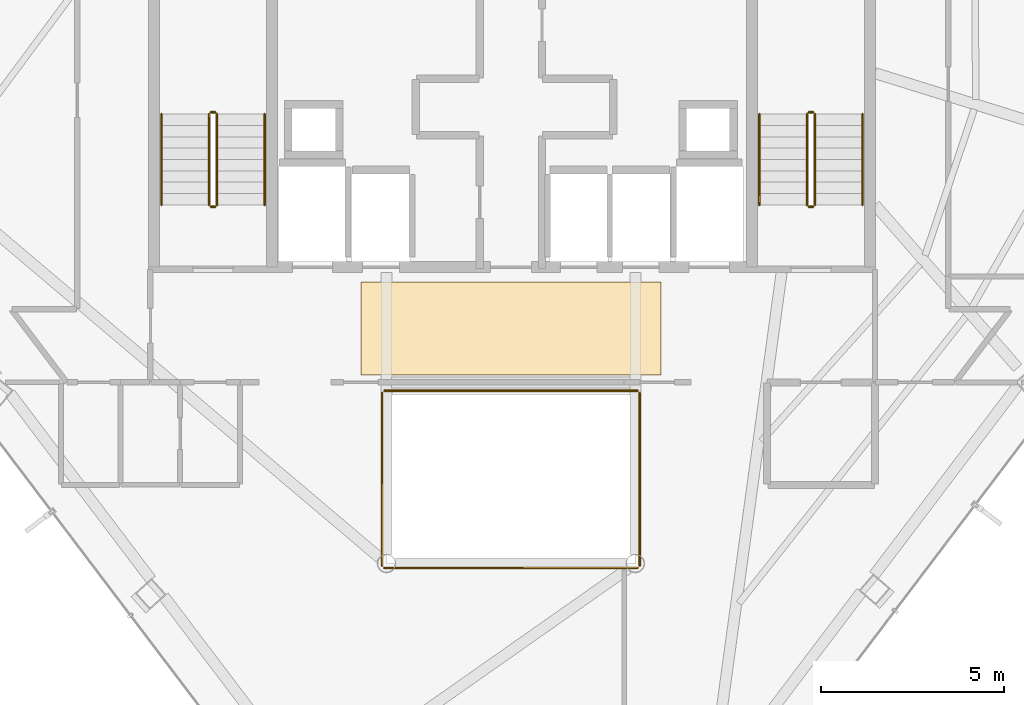
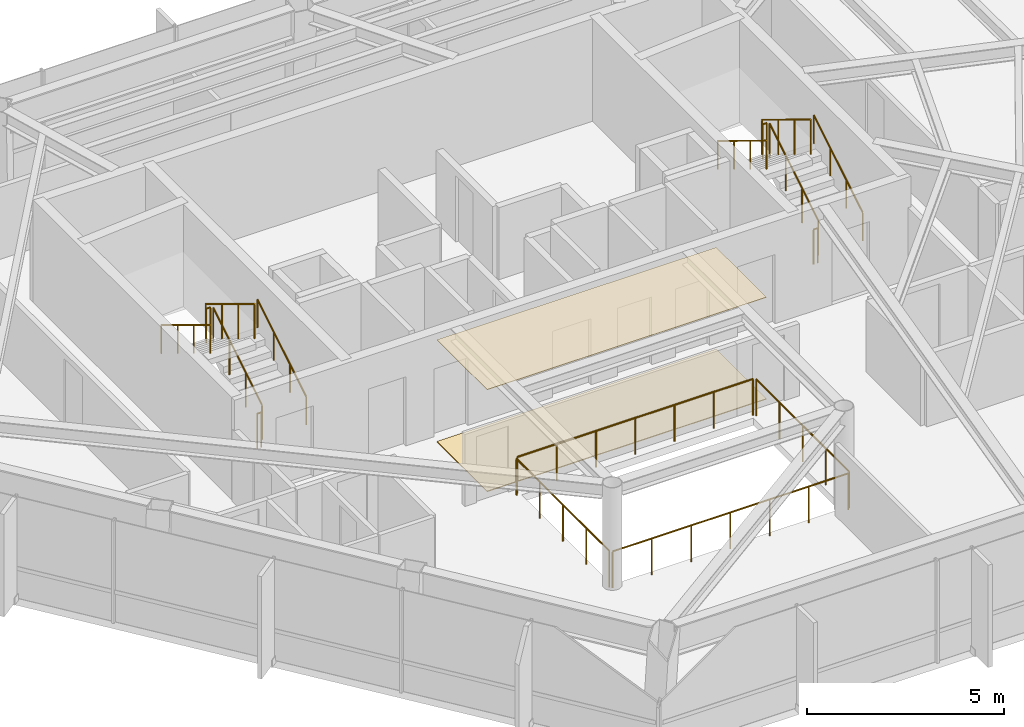
# One storey, part 27 of 27: 16 railings, 2 coverings.
"""IFC4 building model written with IfcOpenShell, lengths in metres."""

from ifc_helpers import new_model, si_unit, direction, frame, origin, origin_2d, place, context, subcontext, project, spatial, polyline, circle, outline, extrude, material, layer, layer_set, type_object, element, save


model = new_model("IFC4")

# Units and contexts
model_context = context("Model", 3, precision=1e-05, world=origin(), true_north=direction((0.0, 1.0)))
body_context = subcontext(model_context, "Body", "Model", "MODEL_VIEW")
ifc_project = project(units=[si_unit("LENGTHUNIT", "METRE"), si_unit("AREAUNIT", "SQUARE_METRE"), si_unit("VOLUMEUNIT", "CUBIC_METRE"), si_unit("PLANEANGLEUNIT", "RADIAN"), si_unit("MASSUNIT", "GRAM", prefix="KILO")], contexts=[model_context])

# Site, building, storey
site_placement = place(None, origin())
site = spatial("IfcSite", under=ifc_project, at=site_placement, CompositionType="ELEMENT")
building_placement = place(site_placement, origin())
building = spatial("IfcBuilding", under=site, at=building_placement, Name="Zarrinselat Tower", CompositionType="ELEMENT")
storey_placement = place(building_placement, frame((0.0, 0.0, 225.760009765625)))
storey = spatial("IfcBuildingStorey", under=building, at=storey_placement, Name="L56", CompositionType="ELEMENT", Elevation=225.760009765625)

# Coverings
ifc_material_1 = material(Name="Fire-Rated Gypsum Board Partition")
ifc_layer_1 = layer(ifc_material_1, 0.014892578125)
ifc_layer_set_1 = layer_set([ifc_layer_1], Name="Fire-Rated Gypsum Board Partition")
covering_type_1 = type_object("IfcCoveringType", Name="COV-CLG-AC15", PredefinedType="CEILING", material=ifc_layer_set_1)
covering_1_placement = place(storey_placement, frame((0.0, 0.0, 3.1650390625)))
element("IfcCovering", 1, at=covering_1_placement, inside=storey, type_object=covering_type_1, Name="L56 Lift Lobby Acoustic Ceiling", PredefinedType="CEILING", context=body_context, shape_type="SweptSolid", body=[
    extrude(outline(polyline([(34.300048828125, 30.35009765625), (42.5, 30.35009765625), (42.5, 32.89990234375), (34.300048828125, 32.89990234375), (34.300048828125, 30.35009765625)])), origin(), (0.0, 0.0, 1.0), 0.014892578125),
])
ifc_material_2 = material(Name="Honed Cream Travertine Stone", Category="masonry")
ifc_layer_2 = layer(ifc_material_2, 0.02490234375)
ifc_layer_set_2 = layer_set([ifc_layer_2], Name="Honed Cream Travertine Stone")
covering_type_2 = type_object("IfcCoveringType", Name="COV-FLR-ST25", PredefinedType="FLOORING", material=ifc_layer_set_2)
covering_2_placement = place(storey_placement, origin())
element("IfcCovering", 2, at=covering_2_placement, inside=storey, type_object=covering_type_2, Name="L56 Lift Lobby Stone Flooring", PredefinedType="FLOORING", context=body_context, shape_type="SweptSolid", body=[
    extrude(outline(polyline([(34.300048828125, 30.35009765625), (42.5, 30.35009765625), (42.5, 32.89990234375), (34.300048828125, 32.89990234375), (34.300048828125, 30.35009765625)])), origin(), (0.0, 0.0, 1.0), 0.02490234375),
])

# Railings
ifc_material_3 = material(Name="Double Low-E Laminated Solar Glass", Category="glass")
railing_type_1 = type_object("IfcRailingType", Name="RLG-ATRIUM-BAL", PredefinedType="BALUSTRADE", material=ifc_material_3)
railing_1_placement = place(storey_placement, frame((34.93994140625, 25.080078125, 0.0)))
element("IfcRailing", 3, at=railing_1_placement, inside=storey, type_object=railing_type_1, Name="L56 Atrium Void Glass Balustrade S", PredefinedType="BALUSTRADE", context=body_context, shape_type="SweptSolid", body=[
    extrude(circle(Radius=0.02392578125, at=origin_2d()), frame((0.0, 0.0, 1.1259765625), z_axis=(1.0, 0.0, 0.0), x_axis=(0.0, 1.0, 0.0)), (0.0, 0.0, 1.0), 6.920166015625),
    extrude(circle(Radius=0.02099609375, at=origin_2d()), origin(), (0.0, 0.0, 1.0), 1.099853515625),
    extrude(circle(Radius=0.02099609375, at=origin_2d()), frame((1.1533203125, 0.0, 0.0)), (0.0, 0.0, 1.0), 1.099853515625),
    extrude(circle(Radius=0.02099609375, at=origin_2d()), frame((2.306640625, 0.0, 0.0)), (0.0, 0.0, 1.0), 1.099853515625),
    extrude(circle(Radius=0.02099609375, at=origin_2d()), frame((3.4599609375, 0.0, 0.0)), (0.0, 0.0, 1.0), 1.099853515625),
    extrude(circle(Radius=0.02099609375, at=origin_2d()), frame((4.613525390625, 0.0, 0.0)), (0.0, 0.0, 1.0), 1.099853515625),
    extrude(circle(Radius=0.02099609375, at=origin_2d()), frame((5.766845703125, 0.0, 0.0)), (0.0, 0.0, 1.0), 1.099853515625),
    extrude(circle(Radius=0.02099609375, at=origin_2d()), frame((6.920166015625, 0.0, 0.0)), (0.0, 0.0, 1.0), 1.099853515625),
])
railing_2_placement = place(storey_placement, frame((41.919921875, 25.139892578125, 0.0)))
element("IfcRailing", 4, at=railing_2_placement, inside=storey, type_object=railing_type_1, Name="L56 Atrium Void Glass Balustrade E", PredefinedType="BALUSTRADE", context=body_context, shape_type="SweptSolid", body=[
    extrude(circle(Radius=0.02392578125, at=origin_2d()), frame((0.0, 0.0, 1.1259765625), z_axis=(0.0, 1.0, 0.0), x_axis=(-1.0, 0.0, 0.0)), (0.0, 0.0, 1.0), 4.72021484375),
    extrude(circle(Radius=0.02099609375, at=origin_2d()), origin(), (0.0, 0.0, 1.0), 1.099853515625),
    extrude(circle(Radius=0.02099609375, at=origin_2d()), frame((0.0, 1.18017578125, 0.0)), (0.0, 0.0, 1.0), 1.099853515625),
    extrude(circle(Radius=0.02099609375, at=origin_2d()), frame((0.0, 2.360107421875, 0.0)), (0.0, 0.0, 1.0), 1.099853515625),
    extrude(circle(Radius=0.02099609375, at=origin_2d()), frame((0.0, 3.5400390625, 0.0)), (0.0, 0.0, 1.0), 1.099853515625),
    extrude(circle(Radius=0.02099609375, at=origin_2d()), frame((0.0, 4.72021484375, 0.0)), (0.0, 0.0, 1.0), 1.099853515625),
])
railing_3_placement = place(storey_placement, frame((41.860107421875, 29.919921875, 0.0)))
element("IfcRailing", 5, at=railing_3_placement, inside=storey, type_object=railing_type_1, Name="L56 Atrium Void Glass Balustrade N", PredefinedType="BALUSTRADE", context=body_context, shape_type="SweptSolid", body=[
    extrude(circle(Radius=0.02392578125, at=origin_2d()), frame((0.0, 0.0, 1.1259765625), z_axis=(-1.0, 0.0, 0.0), x_axis=(0.0, -1.0, 0.0)), (0.0, 0.0, 1.0), 6.920166015625),
    extrude(circle(Radius=0.02099609375, at=origin_2d()), origin(), (0.0, 0.0, 1.0), 1.099853515625),
    extrude(circle(Radius=0.02099609375, at=origin_2d()), frame((-1.1533203125, 0.0, 0.0)), (0.0, 0.0, 1.0), 1.099853515625),
    extrude(circle(Radius=0.02099609375, at=origin_2d()), frame((-2.306640625, 0.0, 0.0)), (0.0, 0.0, 1.0), 1.099853515625),
    extrude(circle(Radius=0.02099609375, at=origin_2d()), frame((-3.4599609375, 0.0, 0.0)), (0.0, 0.0, 1.0), 1.099853515625),
    extrude(circle(Radius=0.02099609375, at=origin_2d()), frame((-4.613525390625, 0.0, 0.0)), (0.0, 0.0, 1.0), 1.099853515625),
    extrude(circle(Radius=0.02099609375, at=origin_2d()), frame((-5.766845703125, 0.0, 0.0)), (0.0, 0.0, 1.0), 1.099853515625),
    extrude(circle(Radius=0.02099609375, at=origin_2d()), frame((-6.920166015625, 0.0, 0.0)), (0.0, 0.0, 1.0), 1.099853515625),
])
railing_4_placement = place(storey_placement, frame((34.8798828125, 29.860107421875, 0.0)))
element("IfcRailing", 6, at=railing_4_placement, inside=storey, type_object=railing_type_1, Name="L56 Atrium Void Glass Balustrade W", PredefinedType="BALUSTRADE", context=body_context, shape_type="SweptSolid", body=[
    extrude(circle(Radius=0.02392578125, at=origin_2d()), frame((0.0, 0.0, 1.1259765625), z_axis=(0.0, -1.0, 0.0), x_axis=(1.0, 0.0, 0.0)), (0.0, 0.0, 1.0), 4.72021484375),
    extrude(circle(Radius=0.02099609375, at=origin_2d()), origin(), (0.0, 0.0, 1.0), 1.099853515625),
    extrude(circle(Radius=0.02099609375, at=origin_2d()), frame((0.0, -1.18017578125, 0.0)), (0.0, 0.0, 1.0), 1.099853515625),
    extrude(circle(Radius=0.02099609375, at=origin_2d()), frame((0.0, -2.360107421875, 0.0)), (0.0, 0.0, 1.0), 1.099853515625),
    extrude(circle(Radius=0.02099609375, at=origin_2d()), frame((0.0, -3.5400390625, 0.0)), (0.0, 0.0, 1.0), 1.099853515625),
    extrude(circle(Radius=0.02099609375, at=origin_2d()), frame((0.0, -4.72021484375, 0.0)), (0.0, 0.0, 1.0), 1.099853515625),
])
ifc_material_4 = material(Name="Steel S355J2", Category="steel")
railing_type_2 = type_object("IfcRailingType", Name="RLG-STAIR-GUARD", PredefinedType="GUARDRAIL", material=ifc_material_4)
railing_5_placement = place(storey_placement, frame((30.3701171875, 35.0, 0.18896484375)))
element("IfcRailing", 7, at=railing_5_placement, inside=storey, type_object=railing_type_2, Name="L56 ST-1 stair guard 1", PredefinedType="GUARDRAIL", context=body_context, shape_type="SweptSolid", body=[
    extrude(circle(Radius=0.02392578125, at=origin_2d()), frame((0.0, 0.0, 1.076171875), z_axis=(0.0, 0.8539793189, 0.520306950647), x_axis=(-1.0, 0.0, 0.0)), (0.0, 0.0, 1.0), 2.904052734375),
    extrude(circle(Radius=0.02099609375, at=origin_2d()), origin(), (0.0, 0.0, 1.0), 1.050048828125),
    extrude(circle(Radius=0.02099609375, at=origin_2d()), frame((0.0, 0.82666015625, 0.503662109375)), (0.0, 0.0, 1.0), 1.050048828125),
    extrude(circle(Radius=0.02099609375, at=origin_2d()), frame((0.0, 1.6533203125, 1.00732421875)), (0.0, 0.0, 1.0), 1.050048828125),
    extrude(circle(Radius=0.02099609375, at=origin_2d()), frame((0.0, 2.47998046875, 1.510986328125)), (0.0, 0.0, 1.0), 1.050048828125),
])
railing_6_placement = place(storey_placement, frame((30.320068359375, 37.530029296875, 1.699951171875)))
element("IfcRailing", 8, at=railing_6_placement, inside=storey, type_object=railing_type_2, Name="L56 ST-1 stair guard 2", PredefinedType="GUARDRAIL", context=body_context, shape_type="SweptSolid", body=[
    extrude(circle(Radius=0.02392578125, at=origin_2d()), frame((0.0, 0.0, 1.076171875), z_axis=(-1.0, 0.0, 0.0), x_axis=(0.0, -1.0, 0.0)), (0.0, 0.0, 1.0), 0.1201171875),
    extrude(circle(Radius=0.02099609375, at=origin_2d()), origin(), (0.0, 0.0, 1.0), 1.050048828125),
    extrude(circle(Radius=0.02099609375, at=origin_2d()), frame((-0.1201171875, 0.0, 0.0)), (0.0, 0.0, 1.0), 1.050048828125),
])
railing_7_placement = place(storey_placement, frame((30.14990234375, 37.47998046875, 1.888916015625)))
element("IfcRailing", 9, at=railing_7_placement, inside=storey, type_object=railing_type_2, Name="L56 ST-1 stair guard 3", PredefinedType="GUARDRAIL", context=body_context, shape_type="SweptSolid", body=[
    extrude(circle(Radius=0.02392578125, at=origin_2d()), frame((0.0, 0.0, 1.076171875), z_axis=(0.0, -0.8539793189, 0.520306950647), x_axis=(1.0, 0.0, 0.0)), (0.0, 0.0, 1.0), 2.904052734375),
    extrude(circle(Radius=0.02099609375, at=origin_2d()), origin(), (0.0, 0.0, 1.0), 1.050048828125),
    extrude(circle(Radius=0.02099609375, at=origin_2d()), frame((0.0, -0.82666015625, 0.503662109375)), (0.0, 0.0, 1.0), 1.050048828125),
    extrude(circle(Radius=0.02099609375, at=origin_2d()), frame((0.0, -1.6533203125, 1.00732421875)), (0.0, 0.0, 1.0), 1.050048828125),
    extrude(circle(Radius=0.02099609375, at=origin_2d()), frame((0.0, -2.47998046875, 1.510986328125)), (0.0, 0.0, 1.0), 1.050048828125),
])
railing_8_placement = place(storey_placement, frame((30.320068359375, 34.949951171875, 0.0)))
element("IfcRailing", 10, at=railing_8_placement, inside=storey, type_object=railing_type_2, Name="L56 ST-1 stair guard 4", PredefinedType="GUARDRAIL", context=body_context, shape_type="SweptSolid", body=[
    extrude(circle(Radius=0.02392578125, at=origin_2d()), frame((0.0, 0.0, 1.076171875), z_axis=(-1.0, 0.0, 0.0), x_axis=(0.0, -1.0, 0.0)), (0.0, 0.0, 1.0), 0.1201171875),
    extrude(circle(Radius=0.02099609375, at=origin_2d()), origin(), (0.0, 0.0, 1.0), 1.050048828125),
    extrude(circle(Radius=0.02099609375, at=origin_2d()), frame((-0.1201171875, 0.0, 0.0)), (0.0, 0.0, 1.0), 1.050048828125),
])
railing_9_placement = place(storey_placement, frame((46.7099609375, 35.0, 0.18896484375)))
element("IfcRailing", 11, at=railing_9_placement, inside=storey, type_object=railing_type_2, Name="L56 ST-2 stair guard 1", PredefinedType="GUARDRAIL", context=body_context, shape_type="SweptSolid", body=[
    extrude(circle(Radius=0.02392578125, at=origin_2d()), frame((0.0, 0.0, 1.076171875), z_axis=(0.0, 0.8539793189, 0.520306950647), x_axis=(-1.0, 0.0, 0.0)), (0.0, 0.0, 1.0), 2.904052734375),
    extrude(circle(Radius=0.02099609375, at=origin_2d()), origin(), (0.0, 0.0, 1.0), 1.050048828125),
    extrude(circle(Radius=0.02099609375, at=origin_2d()), frame((0.0, 0.82666015625, 0.503662109375)), (0.0, 0.0, 1.0), 1.050048828125),
    extrude(circle(Radius=0.02099609375, at=origin_2d()), frame((0.0, 1.6533203125, 1.00732421875)), (0.0, 0.0, 1.0), 1.050048828125),
    extrude(circle(Radius=0.02099609375, at=origin_2d()), frame((0.0, 2.47998046875, 1.510986328125)), (0.0, 0.0, 1.0), 1.050048828125),
])
railing_10_placement = place(storey_placement, frame((46.659912109375, 37.530029296875, 1.699951171875)))
element("IfcRailing", 12, at=railing_10_placement, inside=storey, type_object=railing_type_2, Name="L56 ST-2 stair guard 2", PredefinedType="GUARDRAIL", context=body_context, shape_type="SweptSolid", body=[
    extrude(circle(Radius=0.02392578125, at=origin_2d()), frame((0.0, 0.0, 1.076171875), z_axis=(-1.0, 0.0, 0.0), x_axis=(0.0, -1.0, 0.0)), (0.0, 0.0, 1.0), 0.119873046875),
    extrude(circle(Radius=0.02099609375, at=origin_2d()), origin(), (0.0, 0.0, 1.0), 1.050048828125),
    extrude(circle(Radius=0.02099609375, at=origin_2d()), frame((-0.119873046875, 0.0, 0.0)), (0.0, 0.0, 1.0), 1.050048828125),
])
railing_11_placement = place(storey_placement, frame((46.489990234375, 37.47998046875, 1.888916015625)))
element("IfcRailing", 13, at=railing_11_placement, inside=storey, type_object=railing_type_2, Name="L56 ST-2 stair guard 3", PredefinedType="GUARDRAIL", context=body_context, shape_type="SweptSolid", body=[
    extrude(circle(Radius=0.02392578125, at=origin_2d()), frame((0.0, 0.0, 1.076171875), z_axis=(0.0, -0.8539793189, 0.520306950647), x_axis=(1.0, 0.0, 0.0)), (0.0, 0.0, 1.0), 2.904052734375),
    extrude(circle(Radius=0.02099609375, at=origin_2d()), origin(), (0.0, 0.0, 1.0), 1.050048828125),
    extrude(circle(Radius=0.02099609375, at=origin_2d()), frame((0.0, -0.82666015625, 0.503662109375)), (0.0, 0.0, 1.0), 1.050048828125),
    extrude(circle(Radius=0.02099609375, at=origin_2d()), frame((0.0, -1.6533203125, 1.00732421875)), (0.0, 0.0, 1.0), 1.050048828125),
    extrude(circle(Radius=0.02099609375, at=origin_2d()), frame((0.0, -2.47998046875, 1.510986328125)), (0.0, 0.0, 1.0), 1.050048828125),
])
railing_12_placement = place(storey_placement, frame((46.659912109375, 34.949951171875, 0.0)))
element("IfcRailing", 14, at=railing_12_placement, inside=storey, type_object=railing_type_2, Name="L56 ST-2 stair guard 4", PredefinedType="GUARDRAIL", context=body_context, shape_type="SweptSolid", body=[
    extrude(circle(Radius=0.02392578125, at=origin_2d()), frame((0.0, 0.0, 1.076171875), z_axis=(-1.0, 0.0, 0.0), x_axis=(0.0, -1.0, 0.0)), (0.0, 0.0, 1.0), 0.119873046875),
    extrude(circle(Radius=0.02099609375, at=origin_2d()), origin(), (0.0, 0.0, 1.0), 1.050048828125),
    extrude(circle(Radius=0.02099609375, at=origin_2d()), frame((-0.119873046875, 0.0, 0.0)), (0.0, 0.0, 1.0), 1.050048828125),
])
ifc_material_5 = material(Name="Steel S355J2", Category="steel")
railing_type_3 = type_object("IfcRailingType", Name="RLG-STAIR-HAND", PredefinedType="HANDRAIL", material=ifc_material_5)
railing_13_placement = place(storey_placement, frame((31.669921875, 35.0, 0.18896484375)))
element("IfcRailing", 15, at=railing_13_placement, inside=storey, type_object=railing_type_3, Name="L56 ST-1 stair handrail 1", PredefinedType="HANDRAIL", context=body_context, shape_type="SweptSolid", body=[
    extrude(circle(Radius=0.02392578125, at=origin_2d()), frame((0.0, 0.0, 0.8759765625), z_axis=(0.0, 0.8539793189, 0.520306950647), x_axis=(-1.0, 0.0, 0.0)), (0.0, 0.0, 1.0), 2.904052734375),
    extrude(circle(Radius=0.02099609375, at=origin_2d()), origin(), (0.0, 0.0, 1.0), 0.849853515625),
    extrude(circle(Radius=0.02099609375, at=origin_2d()), frame((0.0, 0.82666015625, 0.503662109375)), (0.0, 0.0, 1.0), 0.849853515625),
    extrude(circle(Radius=0.02099609375, at=origin_2d()), frame((0.0, 1.6533203125, 1.00732421875)), (0.0, 0.0, 1.0), 0.849853515625),
    extrude(circle(Radius=0.02099609375, at=origin_2d()), frame((0.0, 2.47998046875, 1.510986328125)), (0.0, 0.0, 1.0), 0.849853515625),
])
railing_14_placement = place(storey_placement, frame((28.85009765625, 37.47998046875, 1.888916015625)))
element("IfcRailing", 16, at=railing_14_placement, inside=storey, type_object=railing_type_3, Name="L56 ST-1 stair handrail 2", PredefinedType="HANDRAIL", context=body_context, shape_type="SweptSolid", body=[
    extrude(circle(Radius=0.02392578125, at=origin_2d()), frame((0.0, 0.0, 0.8759765625), z_axis=(0.0, -0.8539793189, 0.520306950647), x_axis=(1.0, 0.0, 0.0)), (0.0, 0.0, 1.0), 2.904052734375),
    extrude(circle(Radius=0.02099609375, at=origin_2d()), origin(), (0.0, 0.0, 1.0), 0.849853515625),
    extrude(circle(Radius=0.02099609375, at=origin_2d()), frame((0.0, -0.82666015625, 0.503662109375)), (0.0, 0.0, 1.0), 0.849853515625),
    extrude(circle(Radius=0.02099609375, at=origin_2d()), frame((0.0, -1.6533203125, 1.00732421875)), (0.0, 0.0, 1.0), 0.849853515625),
    extrude(circle(Radius=0.02099609375, at=origin_2d()), frame((0.0, -2.47998046875, 1.510986328125)), (0.0, 0.0, 1.0), 0.849853515625),
])
railing_15_placement = place(storey_placement, frame((48.010009765625, 35.0, 0.18896484375)))
element("IfcRailing", 17, at=railing_15_placement, inside=storey, type_object=railing_type_3, Name="L56 ST-2 stair handrail 1", PredefinedType="HANDRAIL", context=body_context, shape_type="SweptSolid", body=[
    extrude(circle(Radius=0.02392578125, at=origin_2d()), frame((0.0, 0.0, 0.8759765625), z_axis=(0.0, 0.8539793189, 0.520306950647), x_axis=(-1.0, 0.0, 0.0)), (0.0, 0.0, 1.0), 2.904052734375),
    extrude(circle(Radius=0.02099609375, at=origin_2d()), origin(), (0.0, 0.0, 1.0), 0.849853515625),
    extrude(circle(Radius=0.02099609375, at=origin_2d()), frame((0.0, 0.82666015625, 0.503662109375)), (0.0, 0.0, 1.0), 0.849853515625),
    extrude(circle(Radius=0.02099609375, at=origin_2d()), frame((0.0, 1.6533203125, 1.00732421875)), (0.0, 0.0, 1.0), 0.849853515625),
    extrude(circle(Radius=0.02099609375, at=origin_2d()), frame((0.0, 2.47998046875, 1.510986328125)), (0.0, 0.0, 1.0), 0.849853515625),
])
railing_16_placement = place(storey_placement, frame((45.18994140625, 37.47998046875, 1.888916015625)))
element("IfcRailing", 18, at=railing_16_placement, inside=storey, type_object=railing_type_3, Name="L56 ST-2 stair handrail 2", PredefinedType="HANDRAIL", context=body_context, shape_type="SweptSolid", body=[
    extrude(circle(Radius=0.02392578125, at=origin_2d()), frame((0.0, 0.0, 0.8759765625), z_axis=(0.0, -0.8539793189, 0.520306950647), x_axis=(1.0, 0.0, 0.0)), (0.0, 0.0, 1.0), 2.904052734375),
    extrude(circle(Radius=0.02099609375, at=origin_2d()), origin(), (0.0, 0.0, 1.0), 0.849853515625),
    extrude(circle(Radius=0.02099609375, at=origin_2d()), frame((0.0, -0.82666015625, 0.503662109375)), (0.0, 0.0, 1.0), 0.849853515625),
    extrude(circle(Radius=0.02099609375, at=origin_2d()), frame((0.0, -1.6533203125, 1.00732421875)), (0.0, 0.0, 1.0), 0.849853515625),
    extrude(circle(Radius=0.02099609375, at=origin_2d()), frame((0.0, -2.47998046875, 1.510986328125)), (0.0, 0.0, 1.0), 0.849853515625),
])

save(model, "model.ifc")
